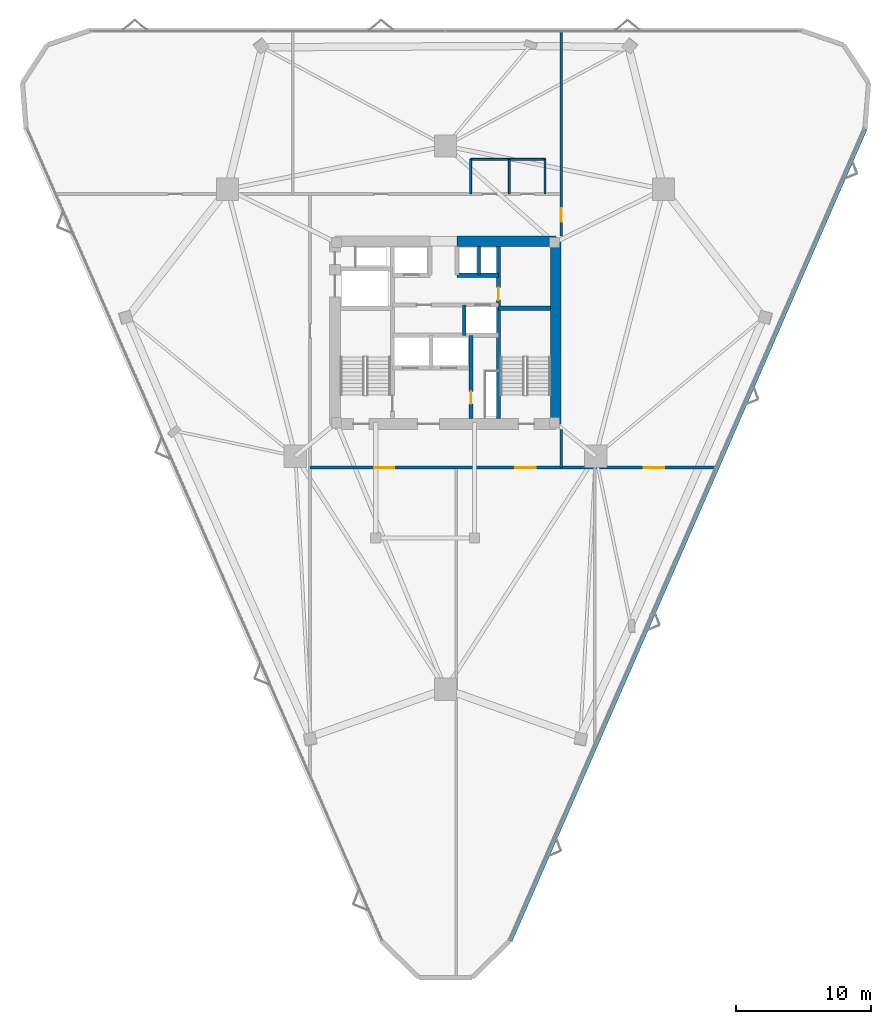
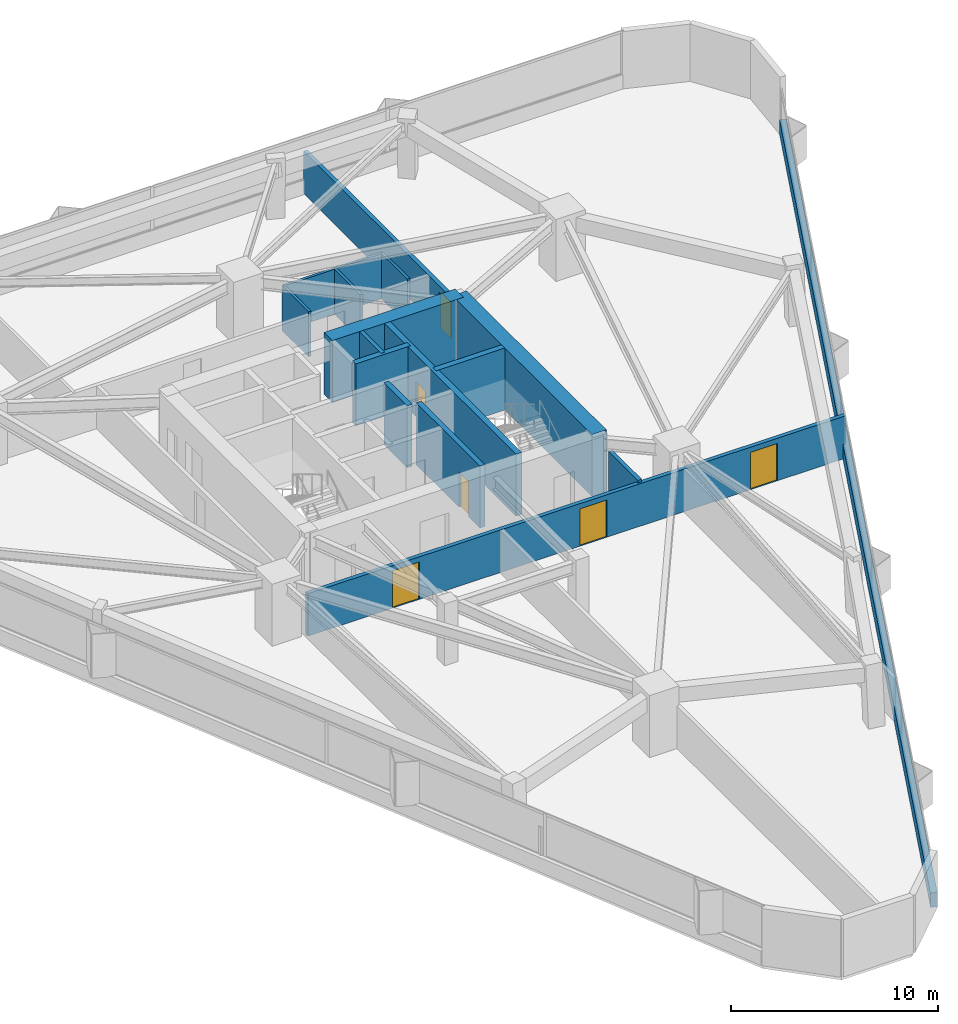
# One storey, part 15 of 17: 16 walls, 6 doors, 6 openings.
"""IFC4 building model written with IfcOpenShell, lengths in metres."""

from ifc_helpers import new_model, si_unit, direction, frame, frame_2d, origin, place, context, subcontext, project, spatial, rectangle, extrude, material, layer, layer_set, type_object, element, fill, save


model = new_model("IFC4")

# Units and contexts
model_context = context("Model", 3, precision=1e-05, world=origin(), true_north=direction((0.0, 1.0)))
body_context = subcontext(model_context, "Body", "Model", "MODEL_VIEW")
ifc_project = project(units=[si_unit("LENGTHUNIT", "METRE"), si_unit("AREAUNIT", "SQUARE_METRE"), si_unit("VOLUMEUNIT", "CUBIC_METRE"), si_unit("PLANEANGLEUNIT", "RADIAN"), si_unit("MASSUNIT", "GRAM", prefix="KILO")], contexts=[model_context])

# Site, building, storey
site_placement = place(None, origin())
site = spatial("IfcSite", under=ifc_project, at=site_placement, CompositionType="ELEMENT")
building_placement = place(site_placement, origin())
building = spatial("IfcBuilding", under=site, at=building_placement, Name="Talyreon Biosciences Tower", CompositionType="ELEMENT")
storey_placement = place(building_placement, frame((0.0, 0.0, 93.25)))
storey = spatial("IfcBuildingStorey", under=building, at=storey_placement, Name="L24", CompositionType="ELEMENT", Elevation=93.25)

# Wall
ifc_material_1 = material(Name="Concrete C50/60", Category="concrete")
ifc_layer_1 = layer(ifc_material_1, 0.219970703125)
ifc_layer_set_1 = layer_set([ifc_layer_1], Name="Concrete C50/60")
wall_type_1 = type_object("IfcWallType", Name="CoreShearWall_220", PredefinedType="SHEAR", material=ifc_layer_set_1)
wall_1_placement = place(storey_placement, frame((68.4599609375, 72.25, 0.0), z_axis=(0.0, 0.0, 1.0), x_axis=(0.0, 1.0, 0.0)))
element("IfcWall", 1, at=wall_1_placement, inside=storey, type_object=wall_type_1, Name="L24 Core Shaft Wall SWPHD", PredefinedType="SHEAR", context=body_context, shape_type="SweptSolid", body=[
    extrude(rectangle(XDim=2.10009765625, YDim=0.219970703125, at=frame_2d((1.050048828125, 0.0))), origin(), (0.0, 0.0, 1.0), 3.64990234375),
])

# Wall, opening, door
ifc_layer_2 = layer(ifc_material_1, 0.280029296875)
ifc_layer_set_2 = layer_set([ifc_layer_2], Name="Concrete C50/60")
wall_type_2 = type_object("IfcWallType", Name="CoreShearWall_280", PredefinedType="SHEAR", material=ifc_layer_set_2)
wall_2_placement = place(storey_placement, frame((67.8798828125, 61.64990234375, 0.0), z_axis=(0.0, 0.0, 1.0), x_axis=(0.0, 1.0, 0.0)))
wall_2 = element("IfcWall", 2, at=wall_2_placement, inside=storey, type_object=wall_type_2, Name="L24 Core Shaft Wall SWFFE", PredefinedType="SHEAR", context=body_context, shape_type="SweptSolid", body=[
    extrude(rectangle(XDim=6.150146484375, YDim=0.280029296875, at=frame_2d((3.0751953125, 0.0))), origin(), (0.0, 0.0, 1.0), 3.64990234375),
])
opening_1_placement = place(wall_2_placement, frame((1.10009765625, 0.0, 0.0)))
opening_1 = element("IfcOpeningElement", 3, at=opening_1_placement, cuts=wall_2, Name="Opening DR-L24-RSE", PredefinedType="OPENING", context=body_context, shape_type="SweptSolid", body=[
    extrude(rectangle(XDim=0.919921875, YDim=2.050048828125, at=frame_2d((0.4599609375, 1.02490234375))), frame((0.0, 0.14990234375, 0.0), z_axis=(0.0, -1.0, 0.0), x_axis=(1.0, 0.0, 0.0)), (0.0, 0.0, 1.0), 0.300048828125),
])
ifc_material_2 = material(Name="Painted steel fire-rated riser door", Category="steel")
door_type_1 = type_object("IfcDoorType", Name="RiserPlantAccessDoor_920x2050", OperationType="NOTDEFINED", PredefinedType="DOOR", material=ifc_material_2)
door_1_placement = place(opening_1_placement, origin())
door_1 = element("IfcDoor", 4, at=door_1_placement, inside=storey, type_object=door_type_1, Name="L24 Core Door DR-L24-RSE", OperationType="SINGLE_SWING_RIGHT", OverallHeight=2.050048828125, OverallWidth=0.919921875, PredefinedType="DOOR", context=body_context, shape_type="SweptSolid", body=[
    extrude(rectangle(XDim=0.919921875, YDim=2.050048828125, at=frame_2d((0.4599609375, 1.02490234375))), frame((0.0, 0.02490234375, 0.0), z_axis=(0.0, -1.0, 0.0), x_axis=(1.0, 0.0, 0.0)), (0.0, 0.0, 1.0), 0.050048828125),
])
fill(opening_1, door_1)

# Wall
wall_3_placement = place(storey_placement, frame((67.3798828125, 67.800048828125, 0.0), z_axis=(0.0, 0.0, 1.0), x_axis=(0.0, 1.0, 0.0)))
element("IfcWall", 5, at=wall_3_placement, inside=storey, type_object=wall_type_2, Name="L24 Core Shaft Wall SWPMD", PredefinedType="SHEAR", context=body_context, shape_type="SweptSolid", body=[
    extrude(rectangle(XDim=2.25, YDim=0.280029296875, at=frame_2d((1.125, 0.0))), origin(), (0.0, 0.0, 1.0), 3.64990234375),
])

# Wall, opening, door
ifc_layer_3 = layer(ifc_material_1, 0.320068359375)
ifc_layer_set_3 = layer_set([ifc_layer_3], Name="Concrete C50/60")
wall_type_3 = type_object("IfcWallType", Name="CoreShearWall_320", PredefinedType="SHEAR", material=ifc_layer_set_3)
wall_4_placement = place(storey_placement, frame((69.909912109375, 61.64990234375, 0.0), z_axis=(0.0, 0.0, 1.0), x_axis=(0.0, 1.0, 0.0)))
wall_4 = element("IfcWall", 6, at=wall_4_placement, inside=storey, type_object=wall_type_3, Name="L24 Core Shaft Wall SW2W", PredefinedType="SHEAR", context=body_context, shape_type="SweptSolid", body=[
    extrude(rectangle(XDim=12.7001953125, YDim=0.320068359375, at=frame_2d((6.35009765625, 0.0))), origin(), (0.0, 0.0, 1.0), 3.64990234375),
])
opening_2_placement = place(wall_4_placement, frame((8.75, 0.0, 0.0)))
opening_2 = element("IfcOpeningElement", 7, at=opening_2_placement, cuts=wall_4, Name="Opening DR-L24-CSRV", PredefinedType="OPENING", context=body_context, shape_type="SweptSolid", body=[
    extrude(rectangle(XDim=0.919921875, YDim=2.050048828125, at=frame_2d((0.4599609375, 1.02490234375))), frame((0.0, 0.169921875, 0.0), z_axis=(0.0, -1.0, 0.0), x_axis=(1.0, 0.0, 0.0)), (0.0, 0.0, 1.0), 0.340087890625),
])
door_2_placement = place(opening_2_placement, origin())
door_2 = element("IfcDoor", 8, at=door_2_placement, inside=storey, type_object=door_type_1, Name="L24 Core Door DR-L24-CSRV", OperationType="SINGLE_SWING_RIGHT", OverallHeight=2.050048828125, OverallWidth=0.919921875, PredefinedType="DOOR", context=body_context, shape_type="SweptSolid", body=[
    extrude(rectangle(XDim=0.919921875, YDim=2.050048828125, at=frame_2d((0.4599609375, 1.02490234375))), frame((0.0, 0.02490234375, 0.0), z_axis=(0.0, -1.0, 0.0), x_axis=(1.0, 0.0, 0.0)), (0.0, 0.0, 1.0), 0.050048828125),
])
fill(opening_2, door_2)

# Walls
wall_5_placement = place(storey_placement, frame((69.909912109375, 69.81005859375, 0.0), z_axis=(0.0, 0.0, 1.0), x_axis=(1.0, 0.0, 0.0)))
element("IfcWall", 9, at=wall_5_placement, inside=storey, type_object=wall_type_3, Name="L24 Core Shaft Wall SW2N", PredefinedType="SHEAR", context=body_context, shape_type="SweptSolid", body=[
    extrude(rectangle(XDim=3.840087890625, YDim=0.320068359375, at=frame_2d((1.919921875, 0.0))), origin(), (0.0, 0.0, 1.0), 3.64990234375),
])
wall_6_placement = place(storey_placement, frame((66.85009765625, 72.25, 0.0), z_axis=(0.0, 0.0, 1.0), x_axis=(1.0, 0.0, 0.0)))
element("IfcWall", 10, at=wall_6_placement, inside=storey, type_object=wall_type_3, Name="L24 Core Shaft Wall SWNPE", PredefinedType="SHEAR", context=body_context, shape_type="SweptSolid", body=[
    extrude(rectangle(XDim=3.059814453125, YDim=0.320068359375, at=frame_2d((1.52978515625, 0.0))), origin(), (0.0, 0.0, 1.0), 3.64990234375),
])
ifc_material_3 = material(Name="Concrete C60/75", Category="concrete")
ifc_layer_4 = layer(ifc_material_3, 0.800048828125)
ifc_layer_set_4 = layer_set([ifc_layer_4], Name="Concrete C60/75")
wall_type_4 = type_object("IfcWallType", Name="CoreShearWall_800", PredefinedType="SHEAR", material=ifc_layer_set_4)
wall_7_placement = place(storey_placement, frame((74.14990234375, 61.25, 0.0), z_axis=(0.0, 0.0, 1.0), x_axis=(0.0, 1.0, 0.0)))
element("IfcWall", 11, at=wall_7_placement, inside=storey, type_object=wall_type_4, Name="L24 Core Shear Wall E", PredefinedType="SHEAR", context=body_context, shape_type="SweptSolid", body=[
    extrude(rectangle(XDim=13.5, YDim=0.800048828125, at=frame_2d((6.75, 0.0))), origin(), (0.0, 0.0, 1.0), 3.64990234375),
])
wall_8_placement = place(storey_placement, frame((74.14990234375, 74.75, 0.0), z_axis=(0.0, 0.0, 1.0), x_axis=(-1.0, 0.0, 0.0)))
element("IfcWall", 12, at=wall_8_placement, inside=storey, type_object=wall_type_4, Name="L24 Core Shear Wall NE", PredefinedType="SHEAR", context=body_context, shape_type="SweptSolid", body=[
    extrude(rectangle(XDim=7.2998046875, YDim=0.800048828125, at=frame_2d((3.64990234375, 0.0))), origin(), (0.0, 0.0, 1.0), 3.64990234375),
])

# Wall, openings, doors
ifc_material_4 = material(Name="Gypsum fireboard acoustic stud", Category="gypsum")
ifc_layer_5 = layer(ifc_material_4, 0.219970703125)
ifc_layer_set_5 = layer_set([ifc_layer_5], Name="Gypsum fireboard acoustic stud")
wall_type_5 = type_object("IfcWallType", Name="CorridorRatedPartition_220", PredefinedType="PARTITIONING", material=ifc_layer_set_5)
wall_9_placement = place(storey_placement, frame((56.0, 58.030029296875, 0.0), z_axis=(0.0, 0.0, 1.0), x_axis=(1.0, 0.0, 0.0)))
wall_9 = element("IfcWall", 13, at=wall_9_placement, inside=storey, type_object=wall_type_5, Name="L24 Interior Wall IW-L24-COR-S", PredefinedType="PARTITIONING", context=body_context, shape_type="SweptSolid", body=[
    extrude(rectangle(XDim=29.94482421875, YDim=0.219970703125, at=frame_2d((14.972412109375, 0.0))), origin(), (0.0, 0.0, 1.0), 2.5048828125),
])
opening_3_placement = place(wall_9_placement, frame((4.72509765625, 0.0, 0.0)))
opening_3 = element("IfcOpeningElement", 14, at=opening_3_placement, cuts=wall_9, Name="Opening DR-L24-S1A", PredefinedType="OPENING", context=body_context, shape_type="SweptSolid", body=[
    extrude(rectangle(XDim=1.5, YDim=2.199951171875, at=frame_2d((0.75, 1.10009765625))), frame((0.0, 0.119873046875, 0.0), z_axis=(0.0, -1.0, 0.0), x_axis=(1.0, 0.0, 0.0)), (0.0, 0.0, 1.0), 0.239990234375),
])
opening_4_placement = place(wall_9_placement, frame((15.160888671875, 0.0, 0.0)))
opening_4 = element("IfcOpeningElement", 15, at=opening_4_placement, cuts=wall_9, Name="Opening DR-L24-S2A", PredefinedType="OPENING", context=body_context, shape_type="SweptSolid", body=[
    extrude(rectangle(XDim=1.5, YDim=2.199951171875, at=frame_2d((0.75, 1.10009765625))), frame((0.0, 0.119873046875, 0.0), z_axis=(0.0, -1.0, 0.0), x_axis=(1.0, 0.0, 0.0)), (0.0, 0.0, 1.0), 0.239990234375),
])
opening_5_placement = place(wall_9_placement, frame((24.658935546875, 0.0, 0.0)))
opening_5 = element("IfcOpeningElement", 16, at=opening_5_placement, cuts=wall_9, Name="Opening DR-L24-S3A", PredefinedType="OPENING", context=body_context, shape_type="SweptSolid", body=[
    extrude(rectangle(XDim=1.5, YDim=2.199951171875, at=frame_2d((0.75, 1.10009765625))), frame((0.0, 0.119873046875, 0.0), z_axis=(0.0, -1.0, 0.0), x_axis=(1.0, 0.0, 0.0)), (0.0, 0.0, 1.0), 0.239990234375),
])
ifc_material_5 = material(Name="Vision-panel steel laboratory fire door", Category="steel")
door_type_2 = type_object("IfcDoorType", Name="WetLabDoubleLeafDoor_1500x2200", OperationType="DOUBLE_DOOR_SINGLE_SWING", PredefinedType="DOOR", material=ifc_material_5)
door_3_placement = place(opening_3_placement, origin())
door_3 = element("IfcDoor", 17, at=door_3_placement, inside=storey, type_object=door_type_2, Name="L24 Interior Door DR-L24-S1A", OperationType="DOUBLE_DOOR_SINGLE_SWING", OverallHeight=2.199951171875, OverallWidth=1.5, PredefinedType="DOOR", context=body_context, shape_type="SweptSolid", body=[
    extrude(rectangle(XDim=1.5, YDim=2.199951171875, at=frame_2d((0.75, 1.10009765625))), frame((0.0, 0.02490234375, 0.0), z_axis=(0.0, -1.0, 0.0), x_axis=(1.0, 0.0, 0.0)), (0.0, 0.0, 1.0), 0.050048828125),
])
fill(opening_3, door_3)
door_4_placement = place(opening_4_placement, origin())
door_4 = element("IfcDoor", 18, at=door_4_placement, inside=storey, type_object=door_type_2, Name="L24 Interior Door DR-L24-S2A", OperationType="DOUBLE_DOOR_SINGLE_SWING", OverallHeight=2.199951171875, OverallWidth=1.5, PredefinedType="DOOR", context=body_context, shape_type="SweptSolid", body=[
    extrude(rectangle(XDim=1.5, YDim=2.199951171875, at=frame_2d((0.75, 1.10009765625))), frame((0.0, 0.02490234375, 0.0), z_axis=(0.0, -1.0, 0.0), x_axis=(1.0, 0.0, 0.0)), (0.0, 0.0, 1.0), 0.050048828125),
])
fill(opening_4, door_4)
door_5_placement = place(opening_5_placement, origin())
door_5 = element("IfcDoor", 19, at=door_5_placement, inside=storey, type_object=door_type_2, Name="L24 Interior Door DR-L24-S3A", OperationType="DOUBLE_DOOR_SINGLE_SWING", OverallHeight=2.199951171875, OverallWidth=1.5, PredefinedType="DOOR", context=body_context, shape_type="SweptSolid", body=[
    extrude(rectangle(XDim=1.5, YDim=2.199951171875, at=frame_2d((0.75, 1.10009765625))), frame((0.0, 0.02490234375, 0.0), z_axis=(0.0, -1.0, 0.0), x_axis=(1.0, 0.0, 0.0)), (0.0, 0.0, 1.0), 0.050048828125),
])
fill(opening_5, door_5)

# Wall, opening, door
wall_10_placement = place(storey_placement, frame((74.550048828125, 75.14990234375, 0.0), z_axis=(0.0, 0.0, 1.0), x_axis=(0.0, 1.0, 0.0)))
wall_10 = element("IfcWall", 20, at=wall_10_placement, inside=storey, type_object=wall_type_5, Name="L24 Interior Wall IW-L24-ECAP-N", PredefinedType="PARTITIONING", context=body_context, shape_type="SweptSolid", body=[
    extrude(rectangle(XDim=15.11865234375, YDim=0.219970703125, at=frame_2d((7.559326171875, 0.0))), origin(), (0.0, 0.0, 1.0), 2.5048828125),
])
opening_6_placement = place(wall_10_placement, frame((1.050048828125, 0.0, 0.0)))
opening_6 = element("IfcOpeningElement", 21, at=opening_6_placement, cuts=wall_10, Name="Opening DR-L24-E1A", PredefinedType="OPENING", context=body_context, shape_type="SweptSolid", body=[
    extrude(rectangle(XDim=1.0, YDim=2.10009765625, at=frame_2d((0.5, 1.050048828125))), frame((0.0, 0.119873046875, 0.0), z_axis=(0.0, -1.0, 0.0), x_axis=(1.0, 0.0, 0.0)), (0.0, 0.0, 1.0), 0.239990234375),
])
ifc_material_6 = material(Name="Acoustic oak veneer office door", Category="wood")
door_type_3 = type_object("IfcDoorType", Name="WriteupOfficeDoor_1000x2100", OperationType="NOTDEFINED", PredefinedType="DOOR", material=ifc_material_6)
door_6_placement = place(opening_6_placement, origin())
door_6 = element("IfcDoor", 22, at=door_6_placement, inside=storey, type_object=door_type_3, Name="L24 Interior Door DR-L24-E1A", OperationType="SINGLE_SWING_RIGHT", OverallHeight=2.10009765625, OverallWidth=1.0, PredefinedType="DOOR", context=body_context, shape_type="SweptSolid", body=[
    extrude(rectangle(XDim=1.0, YDim=2.10009765625, at=frame_2d((0.5, 1.050048828125))), frame((0.0, 0.02490234375, 0.0), z_axis=(0.0, -1.0, 0.0), x_axis=(1.0, 0.0, 0.0)), (0.0, 0.0, 1.0), 0.050048828125),
])
fill(opening_6, door_6)

# Walls
wall_11_placement = place(storey_placement, frame((74.550048828125, 58.030029296875, 0.0), z_axis=(0.0, 0.0, 1.0), x_axis=(0.0, 1.0, 0.0)))
element("IfcWall", 23, at=wall_11_placement, inside=storey, type_object=wall_type_5, Name="L24 Interior Wall IW-L24-ECAP-S", PredefinedType="PARTITIONING", context=body_context, shape_type="SweptSolid", body=[
    extrude(rectangle(XDim=2.820068359375, YDim=0.219970703125, at=frame_2d((1.41015625, 0.0))), origin(), (0.0, 0.0, 1.0), 2.655029296875),
])
ifc_material_7 = material(Name="Precast concrete C45/55", Category="concrete")
ifc_layer_6 = layer(ifc_material_7, 0.340087890625)
ifc_layer_set_6 = layer_set([ifc_layer_6], Name="Precast concrete C45/55")
wall_type_6 = type_object("IfcWallType", Name="PrecastConcreteSpandrelWall_340", PredefinedType="STANDARD", material=ifc_layer_set_6)
wall_12_placement = place(storey_placement, frame((96.98388671875, 83.070556640625, 0.0), z_axis=(0.0, 0.0, 1.0), x_axis=(-0.400542161224, -0.916278329484, 0.0)))
element("IfcWall", 24, at=wall_12_placement, inside=storey, type_object=wall_type_6, Name="L24 Expressed Concrete Sill Wall 08", PredefinedType="STANDARD", context=body_context, shape_type="SweptSolid", body=[
    extrude(rectangle(XDim=65.45947265625, YDim=0.340087890625, at=frame_2d((32.729736328125, 0.0))), origin(), (0.0, 0.0, 1.0), 0.85009765625),
])
ifc_material_8 = material(Name="Moisture-resistant cement-board stud", Category="gypsum")
ifc_layer_7 = layer(ifc_material_8, 0.14501953125)
ifc_layer_set_7 = layer_set([ifc_layer_7], Name="Moisture-resistant cement-board stud")
wall_type_7 = type_object("IfcWallType", Name="WetRoomPartition_145", PredefinedType="PARTITIONING", material=ifc_layer_set_7)
for number, where, z_axis, x_axis, name in (
    (25, (67.85009765625, 78.25, 0.0), (0.0, 0.0, 1.0), (0.0, 1.0, 0.0), "L24 Interior Wall IW-L24-WCL"),
    (26, (70.72509765625, 78.25, 0.0), (0.0, 0.0, 1.0), (0.0, 1.0, 0.0), "L24 Interior Wall IW-L24-WCM"),
    (27, (73.35009765625, 78.25, 0.0), (0.0, 0.0, 1.0), (0.0, 1.0, 0.0), "L24 Interior Wall IW-L24-WCR"),
):
    element("IfcWall", number, at=place(storey_placement, frame(where, z_axis=z_axis, x_axis=x_axis)), inside=storey, type_object=wall_type_7, Name=name, PredefinedType="PARTITIONING", context=body_context, shape_type="SweptSolid", body=[
        extrude(rectangle(XDim=2.550048828125, YDim=0.14501953125, at=frame_2d((1.27490234375, 0.0))), origin(), (0.0, 0.0, 1.0), 2.655029296875),
    ])
wall_13_placement = place(storey_placement, frame((67.85009765625, 80.800048828125, 0.0), z_axis=(0.0, 0.0, 1.0), x_axis=(1.0, 0.0, 0.0)))
element("IfcWall", 28, at=wall_13_placement, inside=storey, type_object=wall_type_7, Name="L24 Interior Wall IW-L24-WCT", PredefinedType="PARTITIONING", context=body_context, shape_type="SweptSolid", body=[
    extrude(rectangle(XDim=5.5, YDim=0.14501953125, at=frame_2d((2.75, 0.0))), origin(), (0.0, 0.0, 1.0), 2.655029296875),
])

save(model, "model.ifc")
